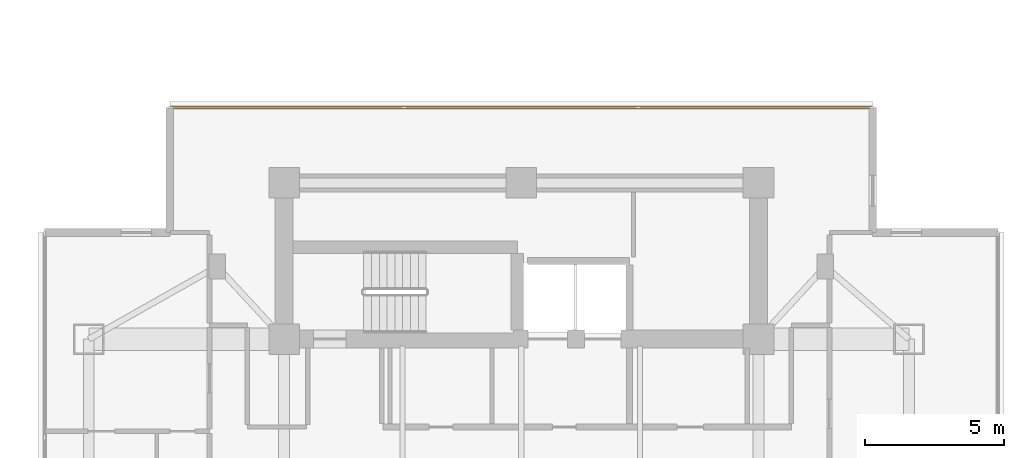
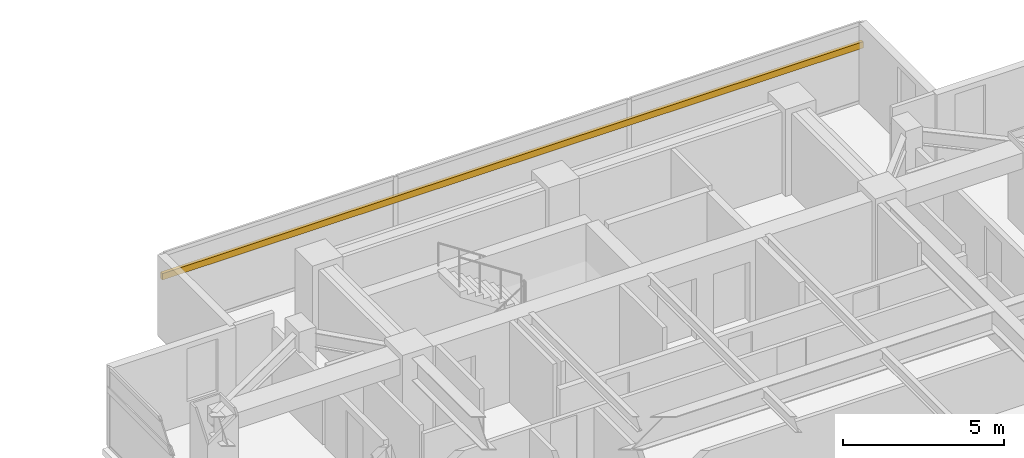
# One storey, part 26 of 26: 1 shading device.
"""IFC4 building model written with IfcOpenShell, lengths in metres."""

from ifc_helpers import new_model, si_unit, direction, frame, origin, origin_2d, place, context, subcontext, project, spatial, rectangle, extrude, material, material_profile, profile_set, type_object, element, save


model = new_model("IFC4")

# Units and contexts
model_context = context("Model", 3, precision=1e-05, world=origin(), true_north=direction((0.0, 1.0)))
body_context = subcontext(model_context, "Body", "Model", "MODEL_VIEW")
ifc_project = project(units=[si_unit("LENGTHUNIT", "METRE"), si_unit("AREAUNIT", "SQUARE_METRE"), si_unit("VOLUMEUNIT", "CUBIC_METRE"), si_unit("PLANEANGLEUNIT", "RADIAN"), si_unit("MASSUNIT", "GRAM", prefix="KILO")], contexts=[model_context])

# Site, building, storey
site_placement = place(None, origin())
site = spatial("IfcSite", under=ifc_project, at=site_placement, CompositionType="ELEMENT")
building_placement = place(site_placement, origin())
building = spatial("IfcBuilding", under=site, at=building_placement, Name="Mirazonda Arch Towers", CompositionType="ELEMENT")
storey_placement = place(building_placement, frame((0.0, 0.0, 121.39990234375)))
storey = spatial("IfcBuildingStorey", under=building, at=storey_placement, Name="L34", CompositionType="ELEMENT", Elevation=121.39990234375)

# Shading device
ifc_material = material(Name="Kiln-Fired Architectural Terracotta", Category="masonry")
ifc_material_profile = material_profile(ifc_material, rectangle(XDim=0.1201171875, YDim=0.239990234375, at=origin_2d()), Name="TERRA-BAG-120x240")
ifc_profile_set = profile_set([ifc_material_profile], Name="Kiln-Fired Architectural Terracotta")
shading_device_type = type_object("IfcShadingDeviceType", Name="BAGUETTE-1", PredefinedType="USERDEFINED", material=ifc_profile_set)
shading_device_placement = place(storey_placement, frame((63.903564453125, 43.502197265625, 2.203369140625), z_axis=(1.0, 0.0, 0.0), x_axis=(0.0, 1.0, 0.0)))
element("IfcShadingDevice", 1, at=shading_device_placement, inside=storey, type_object=shading_device_type, Name="L34 Glazed Terracotta Sun-Screen Baguette CW-L34-T2-N", ObjectType="BAGUETTE", PredefinedType="USERDEFINED", context=body_context, shape_type="SweptSolid", body=[
    extrude(rectangle(XDim=0.1201171875, YDim=0.239990234375, at=origin_2d()), origin(), (0.0, 0.0, 1.0), 25.19287109375),
])

save(model, "model.ifc")
